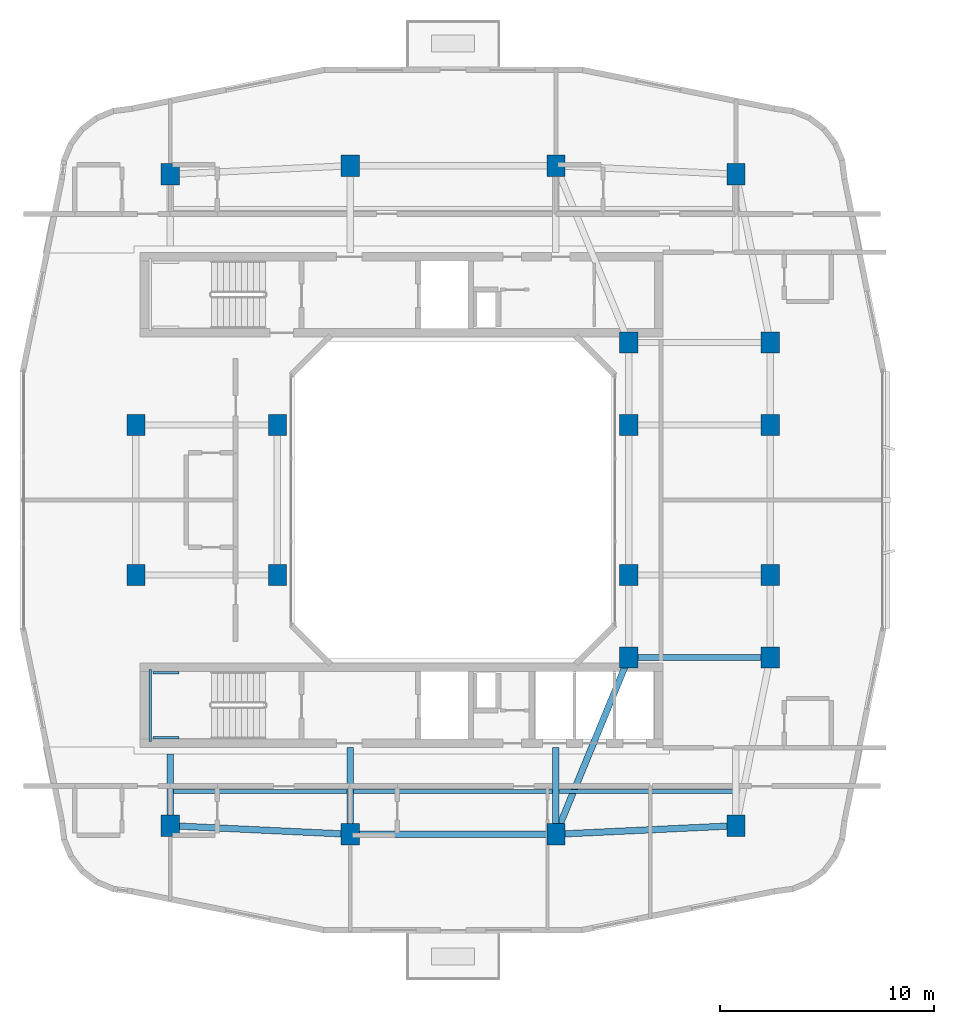
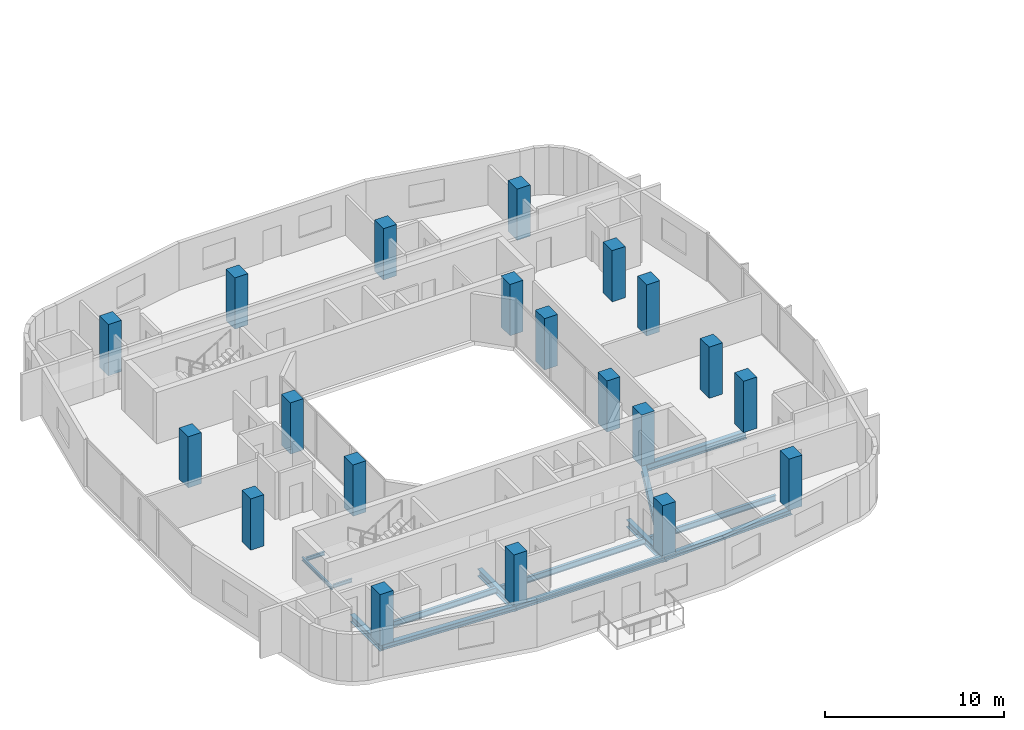
# One storey, part 1 of 13: 20 columns, 14 beams.
"""IFC4 building model written with IfcOpenShell, lengths in metres."""

from ifc_helpers import new_model, si_unit, derived_unit, direction, frame, origin, origin_2d, place, context, subcontext, project, spatial, rectangle, i_section, extrude, material, material_profile, profile_set, type_object, element, save


model = new_model("IFC4")

# Units and contexts
model_context = context("Model", 3, precision=1e-05, world=origin(), true_north=direction((0.0, 1.0)))
body_context = subcontext(model_context, "Body", "Model", "MODEL_VIEW")
ifc_project = project(units=[si_unit("LENGTHUNIT", "METRE"), si_unit("AREAUNIT", "SQUARE_METRE"), si_unit("VOLUMEUNIT", "CUBIC_METRE"), si_unit("PLANEANGLEUNIT", "RADIAN"), si_unit("MASSUNIT", "GRAM", prefix="KILO"), derived_unit("THERMALTRANSMITTANCEUNIT", [(si_unit("POWERUNIT", "WATT"), 1), (si_unit("LENGTHUNIT", "METRE"), -2), (si_unit("THERMODYNAMICTEMPERATUREUNIT", "KELVIN"), -1)])], contexts=[model_context])

# Site, building, storey
site_placement = place(None, origin())
site = spatial("IfcSite", under=ifc_project, at=site_placement, CompositionType="ELEMENT")
building_placement = place(site_placement, origin())
building = spatial("IfcBuilding", under=site, at=building_placement, Name="Kivonza Crest Hotel", CompositionType="ELEMENT")
storey_placement = place(building_placement, frame((0.0, 0.0, 134.5)))
storey = spatial("IfcBuildingStorey", under=building, at=storey_placement, Name="L36", CompositionType="ELEMENT", Elevation=134.5)

# Columns
ifc_material_1 = material(Name="Concrete C50/60", Category="concrete")
ifc_material_profile_1 = material_profile(ifc_material_1, rectangle(XDim=0.85009765625, YDim=1.0, at=origin_2d()), Name="RC 1000x850")
ifc_profile_set_1 = profile_set([ifc_material_profile_1], Name="Concrete C50/60")
column_type = type_object("IfcColumnType", Name="CL-RC-1000x850", PredefinedType="COLUMN", material=ifc_profile_set_1)
for number, where, z_axis, x_axis, name in (
    (1, (16.199951171875, 9.39990234375, 0.0), (0.0, 0.0, 1.0), (1.0, 0.0, 0.0), "Tower T1 L36 column S1"),
    (2, (25.800048828125, 9.39990234375, 0.0), (0.0, 0.0, 1.0), (1.0, 0.0, 0.0), "Tower T1 L36 column S2"),
    (3, (16.199951171875, 40.60009765625, 0.0), (0.0, 0.0, 1.0), (1.0, 0.0, 0.0), "Tower T1 L36 column N1"),
    (4, (25.800048828125, 40.60009765625, 0.0), (0.0, 0.0, 1.0), (1.0, 0.0, 0.0), "Tower T1 L36 column N2"),
    (5, (6.199951171875, 21.5, 0.0), (0.0, 0.0, 1.0), (1.0, 0.0, 0.0), "Tower T1 L36 column W1"),
    (6, (6.199951171875, 28.5, 0.0), (0.0, 0.0, 1.0), (1.0, 0.0, 0.0), "Tower T1 L36 column W2"),
    (7, (7.800048828125, 9.800048828125, 0.0), (0.0, 0.0, 1.0), (1.0, 0.0, 0.0), "Tower T1 L36 column SW"),
    (8, (34.199951171875, 9.800048828125, 0.0), (0.0, 0.0, 1.0), (1.0, 0.0, 0.0), "Tower T1 L36 column SE"),
    (9, (34.199951171875, 40.199951171875, 0.0), (0.0, 0.0, 1.0), (1.0, 0.0, 0.0), "Tower T1 L36 column NE"),
    (10, (7.800048828125, 40.199951171875, 0.0), (0.0, 0.0, 1.0), (1.0, 0.0, 0.0), "Tower T1 L36 column NW"),
    (11, (35.800048828125, 21.5, 0.0), (0.0, 0.0, 1.0), (1.0, 0.0, 0.0), "Tower T1 L36 column E1"),
    (12, (35.800048828125, 28.5, 0.0), (0.0, 0.0, 1.0), (1.0, 0.0, 0.0), "Tower T1 L36 column E2"),
    (13, (35.800048828125, 17.64990234375, 0.0), (0.0, 0.0, 1.0), (1.0, 0.0, 0.0), "Tower T1 L36 column PSE"),
    (14, (35.800048828125, 32.35009765625, 0.0), (0.0, 0.0, 1.0), (1.0, 0.0, 0.0), "Tower T1 L36 column PNE"),
    (15, (12.800048828125, 21.5, 0.0), (0.0, 0.0, 1.0), (1.0, 0.0, 0.0), "Tower T1 L36 column WL1"),
    (16, (12.800048828125, 28.5, 0.0), (0.0, 0.0, 1.0), (1.0, 0.0, 0.0), "Tower T1 L36 column WL2"),
    (17, (29.199951171875, 17.64990234375, 0.0), (0.0, 0.0, 1.0), (1.0, 0.0, 0.0), "Tower T1 L36 column TSE"),
    (18, (29.199951171875, 32.35009765625, 0.0), (0.0, 0.0, 1.0), (1.0, 0.0, 0.0), "Tower T1 L36 column TNE"),
    (19, (29.199951171875, 21.5, 0.0), (0.0, 0.0, 1.0), (1.0, 0.0, 0.0), "Tower T1 L36 column WR1"),
    (20, (29.199951171875, 28.5, 0.0), (0.0, 0.0, 1.0), (1.0, 0.0, 0.0), "Tower T1 L36 column WR2"),
):
    element("IfcColumn", number, at=place(storey_placement, frame(where, z_axis=z_axis, x_axis=x_axis)), inside=storey, type_object=column_type, Name=name, PredefinedType="COLUMN", context=body_context, shape_type="SweptSolid", body=[
        extrude(rectangle(XDim=0.85009765625, YDim=1.0, at=origin_2d()), origin(), (0.0, 0.0, 1.0), 3.5),
    ])

# Beams
ifc_material_2 = material(Name="Steel S355", Category="steel")
ifc_material_profile_2 = material_profile(ifc_material_2, i_section(OverallWidth=0.300048828125, OverallDepth=0.360107421875, WebThickness=0.012451171875, FlangeThickness=0.0224609375, FilletRadius=0.027099609375, at=origin_2d()), Name="HEB 360")
ifc_profile_set_2 = profile_set([ifc_material_profile_2], Name="Steel S355")
beam_type_1 = type_object("IfcBeamType", Name="BM-HEB360", PredefinedType="SPANDREL", material=ifc_profile_set_2)
beam_1_placement = place(storey_placement, frame((16.199951171875, 9.39990234375, -0.4599609375), z_axis=(1.0, 0.0, 0.0), x_axis=(0.0, 1.0, 0.0)))
element("IfcBeam", 21, at=beam_1_placement, inside=storey, type_object=beam_type_1, Name="Tower T1 L36 perimeter spandrel S1-S2", PredefinedType="SPANDREL", context=body_context, shape_type="SweptSolid", body=[
    extrude(i_section(OverallWidth=0.300048828125, OverallDepth=0.360107421875, WebThickness=0.012451171875, FlangeThickness=0.0224609375, FilletRadius=0.027099609375, at=origin_2d()), origin(), (0.0, 0.0, 1.0), 9.60009765625),
])
for number, where, z_axis, x_axis, name in (
    (22, (25.800048828125, 9.39990234375, -0.4599609375), (0.998867283688, 0.047583080799, 0.0), (-0.047583080799, 0.998867283688, 0.0), "Tower T1 L36 perimeter spandrel S2-SE"),
    (23, (7.800048828125, 9.800048828125, -0.4599609375), (0.998867283688, -0.047583080799, 0.0), (0.047583080799, 0.998867283688, 0.0), "Tower T1 L36 perimeter spandrel SW-S1"),
):
    element("IfcBeam", number, at=place(storey_placement, frame(where, z_axis=z_axis, x_axis=x_axis)), inside=storey, type_object=beam_type_1, Name=name, PredefinedType="SPANDREL", context=body_context, shape_type="SweptSolid", body=[
        extrude(i_section(OverallWidth=0.300048828125, OverallDepth=0.360107421875, WebThickness=0.012451171875, FlangeThickness=0.0224609375, FilletRadius=0.027099609375, at=origin_2d()), origin(), (0.0, 0.0, 1.0), 8.409423828125),
    ])
ifc_material_profile_3 = material_profile(ifc_material_2, i_section(OverallWidth=0.300048828125, OverallDepth=0.5, WebThickness=0.014404296875, FlangeThickness=0.028076171875, FilletRadius=0.027099609375, at=origin_2d()), Name="HEB 500")
ifc_profile_set_3 = profile_set([ifc_material_profile_3], Name="Steel S355")
beam_type_2 = type_object("IfcBeamType", Name="BM-HEB500", PredefinedType="BEAM", material=ifc_profile_set_3)
beam_2_placement = place(storey_placement, frame((25.800048828125, 9.39990234375, -0.530029296875), z_axis=(0.381022260404, 0.924565864109, 0.0), x_axis=(-0.924565864109, 0.381022260404, 0.0)))
element("IfcBeam", 24, at=beam_2_placement, inside=storey, type_object=beam_type_2, Name="Tower T1 L36 primary girder S1-TSE", PredefinedType="BEAM", context=body_context, shape_type="SweptSolid", body=[
    extrude(i_section(OverallWidth=0.300048828125, OverallDepth=0.5, WebThickness=0.014404296875, FlangeThickness=0.028076171875, FilletRadius=0.027099609375, at=origin_2d()), origin(), (0.0, 0.0, 1.0), 8.923095703125),
])
beam_3_placement = place(storey_placement, frame((29.199951171875, 17.64990234375, -0.530029296875), z_axis=(1.0, 0.0, 0.0), x_axis=(0.0, 1.0, 0.0)))
element("IfcBeam", 25, at=beam_3_placement, inside=storey, type_object=beam_type_2, Name="Tower T1 L36 primary girder TSE-PSE", PredefinedType="BEAM", context=body_context, shape_type="SweptSolid", body=[
    extrude(i_section(OverallWidth=0.300048828125, OverallDepth=0.5, WebThickness=0.014404296875, FlangeThickness=0.028076171875, FilletRadius=0.027099609375, at=origin_2d()), origin(), (0.0, 0.0, 1.0), 6.60009765625),
])
beam_4_placement = place(storey_placement, frame((7.800048828125, 9.800048828125, -0.530029296875), z_axis=(0.0, 1.0, 0.0), x_axis=(-1.0, 0.0, 0.0)))
element("IfcBeam", 26, at=beam_4_placement, inside=storey, type_object=beam_type_2, Name="Tower T1 L36 radial core girder RSW", PredefinedType="BEAM", context=body_context, shape_type="SweptSolid", body=[
    extrude(i_section(OverallWidth=0.300048828125, OverallDepth=0.5, WebThickness=0.014404296875, FlangeThickness=0.028076171875, FilletRadius=0.027099609375, at=origin_2d()), origin(), (0.0, 0.0, 1.0), 3.349853515625),
])
for number, where, z_axis, x_axis, name in (
    (27, (16.199951171875, 9.39990234375, -0.530029296875), (0.0, 1.0, 0.0), (-1.0, 0.0, 0.0), "Tower T1 L36 radial core girder RS1"),
    (28, (25.800048828125, 9.39990234375, -0.530029296875), (0.0, 1.0, 0.0), (-1.0, 0.0, 0.0), "Tower T1 L36 radial core girder RS2"),
):
    element("IfcBeam", number, at=place(storey_placement, frame(where, z_axis=z_axis, x_axis=x_axis)), inside=storey, type_object=beam_type_2, Name=name, PredefinedType="BEAM", context=body_context, shape_type="SweptSolid", body=[
        extrude(i_section(OverallWidth=0.300048828125, OverallDepth=0.5, WebThickness=0.014404296875, FlangeThickness=0.028076171875, FilletRadius=0.027099609375, at=origin_2d()), origin(), (0.0, 0.0, 1.0), 4.050048828125),
    ])
ifc_material_profile_4 = material_profile(ifc_material_2, i_section(OverallWidth=0.179931640625, OverallDepth=0.39990234375, WebThickness=0.008544921875, FlangeThickness=0.013427734375, FilletRadius=0.02099609375, at=origin_2d()), Name="IPE 400")
ifc_profile_set_4 = profile_set([ifc_material_profile_4], Name="Steel S355")
beam_type_3 = type_object("IfcBeamType", Name="BM-IPE400", PredefinedType="JOIST", material=ifc_profile_set_4)
beam_5_placement = place(storey_placement, frame((7.8798828125, 11.39990234375, -0.47998046875), z_axis=(1.0, 0.0, 0.0), x_axis=(0.0, 1.0, 0.0)))
element("IfcBeam", 29, at=beam_5_placement, inside=storey, type_object=beam_type_3, Name="Tower T1 L36 South-West floor joist", PredefinedType="JOIST", context=body_context, shape_type="SweptSolid", body=[
    extrude(i_section(OverallWidth=0.179931640625, OverallDepth=0.39990234375, WebThickness=0.008544921875, FlangeThickness=0.013427734375, FilletRadius=0.02099609375, at=origin_2d()), origin(), (0.0, 0.0, 1.0), 8.240234375),
])
beam_6_placement = place(storey_placement, frame((16.280029296875, 11.39990234375, -0.47998046875), z_axis=(1.0, 0.0, 0.0), x_axis=(0.0, 1.0, 0.0)))
element("IfcBeam", 30, at=beam_6_placement, inside=storey, type_object=beam_type_3, Name="Tower T1 L36 South-Mid floor joist", PredefinedType="JOIST", context=body_context, shape_type="SweptSolid", body=[
    extrude(i_section(OverallWidth=0.179931640625, OverallDepth=0.39990234375, WebThickness=0.008544921875, FlangeThickness=0.013427734375, FilletRadius=0.02099609375, at=origin_2d()), origin(), (0.0, 0.0, 1.0), 9.43994140625),
])
beam_7_placement = place(storey_placement, frame((25.8798828125, 11.39990234375, -0.47998046875), z_axis=(1.0, 0.0, 0.0), x_axis=(0.0, 1.0, 0.0)))
element("IfcBeam", 31, at=beam_7_placement, inside=storey, type_object=beam_type_3, Name="Tower T1 L36 South-East floor joist", PredefinedType="JOIST", context=body_context, shape_type="SweptSolid", body=[
    extrude(i_section(OverallWidth=0.179931640625, OverallDepth=0.39990234375, WebThickness=0.008544921875, FlangeThickness=0.013427734375, FilletRadius=0.02099609375, at=origin_2d()), origin(), (0.0, 0.0, 1.0), 8.240234375),
])
ifc_material_profile_5 = material_profile(ifc_material_2, i_section(OverallWidth=0.1201171875, OverallDepth=0.239990234375, WebThickness=0.006103515625, FlangeThickness=0.009765625, FilletRadius=0.014892578125, at=origin_2d()), Name="IPE 240")
ifc_profile_set_5 = profile_set([ifc_material_profile_5], Name="Steel S355")
beam_type_4 = type_object("IfcBeamType", Name="BM-LLDG-240", PredefinedType="BEAM", material=ifc_profile_set_5)
beam_8_placement = place(storey_placement, frame((6.860107421875, 13.739990234375, 1.429931640625), z_axis=(0.0, 1.0, 0.0), x_axis=(-1.0, 0.0, 0.0)))
element("IfcBeam", 32, at=beam_8_placement, inside=storey, type_object=beam_type_4, Name="Stair ST-T1-S L36 West landing corbel", PredefinedType="BEAM", context=body_context, shape_type="SweptSolid", body=[
    extrude(i_section(OverallWidth=0.1201171875, OverallDepth=0.239990234375, WebThickness=0.006103515625, FlangeThickness=0.009765625, FilletRadius=0.014892578125, at=origin_2d()), origin(), (0.0, 0.0, 1.0), 3.360107421875),
])
for number, where, z_axis, x_axis, name in (
    (33, (6.989990234375, 13.89990234375, 1.429931640625), (1.0, 0.0, 0.0), (0.0, 1.0, 0.0), "Stair ST-T1-S L36 South landing corbel"),
    (34, (6.989990234375, 16.93994140625, 1.429931640625), (1.0, 0.0, 0.0), (0.0, 1.0, 0.0), "Stair ST-T1-S L36 North landing corbel"),
):
    element("IfcBeam", number, at=place(storey_placement, frame(where, z_axis=z_axis, x_axis=x_axis)), inside=storey, type_object=beam_type_4, Name=name, PredefinedType="BEAM", context=body_context, shape_type="SweptSolid", body=[
        extrude(i_section(OverallWidth=0.1201171875, OverallDepth=0.239990234375, WebThickness=0.006103515625, FlangeThickness=0.009765625, FilletRadius=0.014892578125, at=origin_2d()), origin(), (0.0, 0.0, 1.0), 1.2099609375),
    ])

save(model, "model.ifc")
